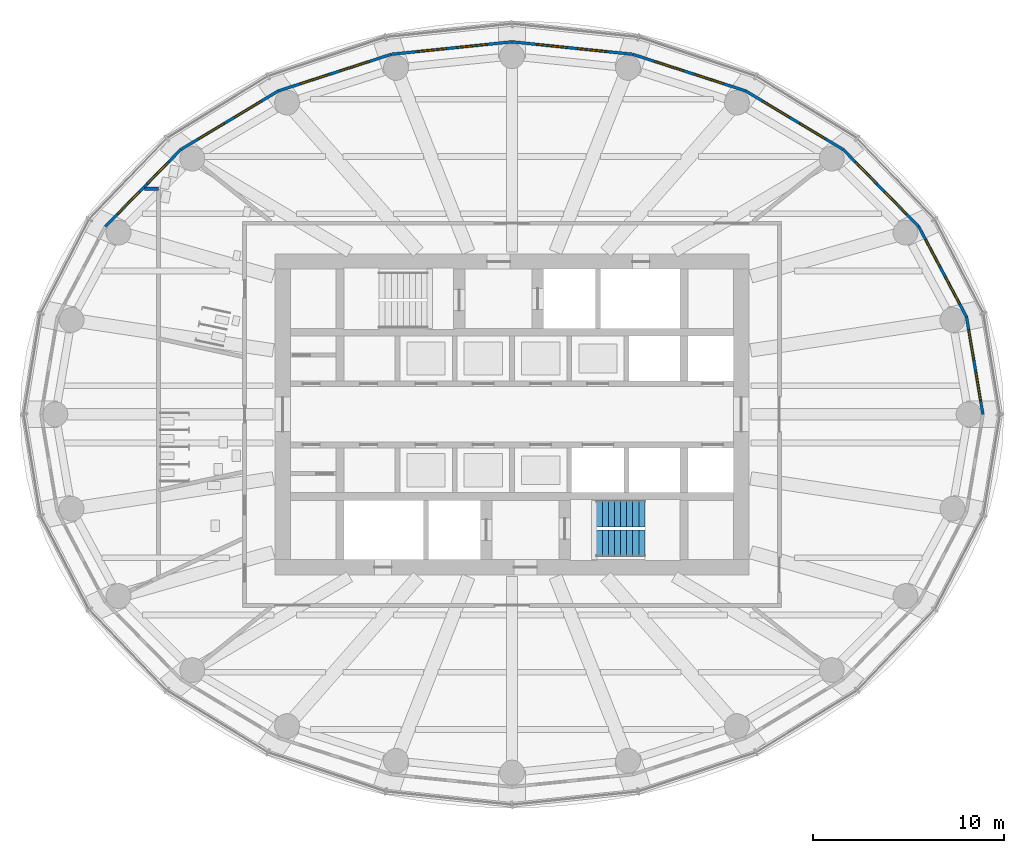
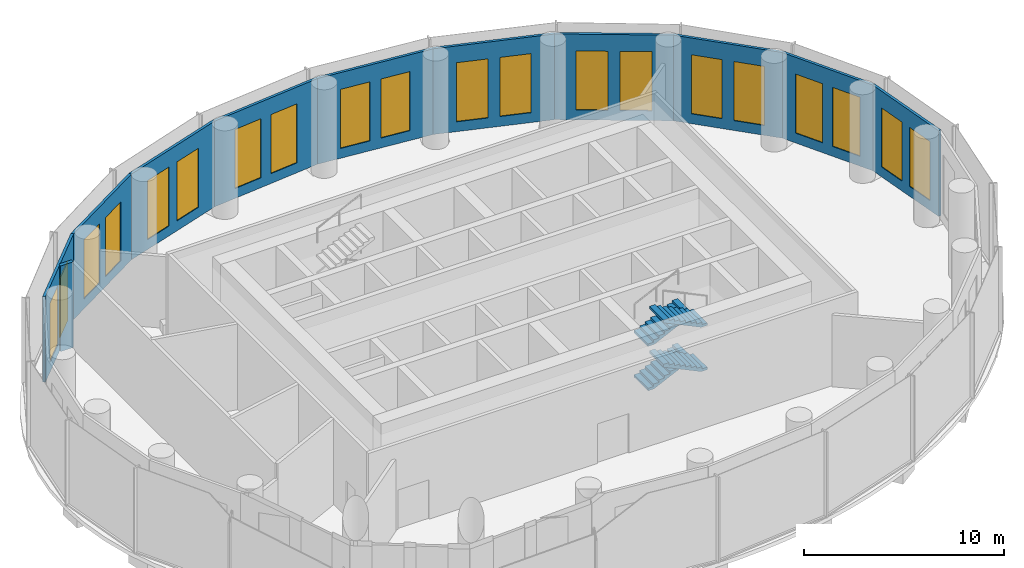
# One storey, part 8 of 13: 20 windows, 11 walls, 4 stair flights, 20 openings, 1 element without a shape of its own.
"""IFC4 building model written with IfcOpenShell, lengths in metres."""

import ifcopenshell
import ifcopenshell.guid

model = None  # the IFC model being written
_history = None  # IfcOwnerHistory: only IFC2X3 demands one
_inside = {}  # id of a spatial element -> (the spatial element, [elements in it])
_under = {}  # id of a project, library or spatial element -> (it, [spatial elements below it])
_declared = {}  # id of a project -> (the project, [libraries it declares])
_typed = {}  # id of a type object -> (the type object, [elements of that type])
_made_of = {}  # id of a material, layer set ... -> (it, [elements and type objects made of it])


def new_model(schema):
    """Start an empty IFC model of exactly this schema.

    Asked for "IFC4X3", IfcOpenShell would pick the latest addendum, in which some entities
    have other attributes; the version numbers below select the first issue.
    IFC2X3 requires an IfcOwnerHistory on every rooted entity: one is made here for all.
    """
    global model, _history
    if schema == "IFC4X3":
        model = ifcopenshell.file(schema_version=(4, 3, 0, 0))
    else:
        model = ifcopenshell.file(schema=schema)
    _inside.clear()
    _under.clear()
    _declared.clear()
    _typed.clear()
    _made_of.clear()
    _history = None
    if model.schema == "IFC2X3":
        org = make("IfcOrganization", Name="unknown")
        user = make(
            "IfcPersonAndOrganization",
            ThePerson=make("IfcPerson", FamilyName="unknown"),
            TheOrganization=org,
        )
        app = make(
            "IfcApplication",
            ApplicationDeveloper=org,
            Version="unknown",
            ApplicationFullName="unknown",
            ApplicationIdentifier="unknown",
        )
        _history = make(
            "IfcOwnerHistory",
            OwningUser=user,
            OwningApplication=app,
            ChangeAction="ADDED",
            CreationDate=0,
        )
    return model


def make(cls, **values):
    """One entity of the class cls with the attributes given. An attribute that is None is left unset."""
    return model.create_entity(
        cls, **{name: value for name, value in values.items() if value is not None}
    )


def rooted(cls, **values):
    """An entity with a GlobalId (a new one), such as an element, a storey or a relation."""
    return make(cls, GlobalId=ifcopenshell.guid.new(), OwnerHistory=_history, **values)


def si_unit(unit_type, name, prefix=None):
    """IfcSIUnit, for example si_unit("LENGTHUNIT", "METRE", prefix="MILLI")."""
    return make("IfcSIUnit", UnitType=unit_type, Prefix=prefix, Name=name)


def assignment(units):
    """IfcUnitAssignment: the units of a project."""
    return None if units is None else make("IfcUnitAssignment", Units=units)


def point(xyz):
    """IfcCartesianPoint."""
    return None if xyz is None else make("IfcCartesianPoint", Coordinates=xyz)


def direction(xyz):
    """IfcDirection."""
    return None if xyz is None else make("IfcDirection", DirectionRatios=xyz)


def frame(location, z_axis=None, x_axis=None):
    """IfcAxis2Placement3D, a coordinate frame: its origin and axes. An axis left out is left unset."""
    return make(
        "IfcAxis2Placement3D",
        Location=point(location),
        Axis=direction(z_axis),
        RefDirection=direction(x_axis),
    )


def frame_2d(location, x_axis=None):
    """IfcAxis2Placement2D, a coordinate frame in the plane: its origin and x axis."""
    return make(
        "IfcAxis2Placement2D", Location=point(location), RefDirection=direction(x_axis)
    )


def origin():
    """The frame at (0, 0, 0) with its axes left unset."""
    return frame((0.0, 0.0, 0.0))


def place(relative_to, where):
    """IfcLocalPlacement: puts the frame where relative to a parent placement (None: the world)."""
    return make(
        "IfcLocalPlacement", PlacementRelTo=relative_to, RelativePlacement=where
    )


def context(
    kind, dimensions, precision=None, world=None, true_north=None, identifier=None
):
    """IfcGeometricRepresentationContext, for example the 3D "Model" context."""
    return make(
        "IfcGeometricRepresentationContext",
        ContextIdentifier=identifier,
        ContextType=kind,
        CoordinateSpaceDimension=dimensions,
        Precision=precision,
        WorldCoordinateSystem=world,
        TrueNorth=true_north,
    )


def subcontext(parent, identifier, kind, view, scale=None):
    """IfcGeometricRepresentationSubContext, for example "Body" below "Model"."""
    return make(
        "IfcGeometricRepresentationSubContext",
        ContextIdentifier=identifier,
        ContextType=kind,
        ParentContext=parent,
        TargetScale=scale,
        TargetView=view,
    )


def project(units=None, contexts=None):
    """IfcProject with its units and contexts."""
    return rooted(
        "IfcProject",
        Name="project",
        RepresentationContexts=contexts,
        UnitsInContext=assignment(units),
    )


def spatial(cls, under=None, at=None, **own):
    """A site, building, storey or space (cls), placed at a placement, below another one or the project."""
    s = rooted(cls, ObjectPlacement=at, **own)
    if under is not None:
        _under.setdefault(under.id(), (under, []))[1].append(s)
    return s


def polyline(points):
    """IfcPolyline through the points."""
    return make("IfcPolyline", Points=[point(p) for p in points])


def profile(cls, at=None, kind="AREA", **sizes):
    """A parametric profile (cls). Its sizes go by their IFC names, for example OverallWidth=200.0."""
    return make(cls, ProfileType=kind, Position=at, **sizes)


def rectangle(**sizes):
    """IfcRectangleProfileDef."""
    return profile("IfcRectangleProfileDef", **sizes)


def outline(outer, holes=None, kind="AREA"):
    """IfcArbitraryClosedProfileDef: a profile drawn as a closed curve; with holes, ...WithVoids."""
    if holes is None:
        return make("IfcArbitraryClosedProfileDef", ProfileType=kind, OuterCurve=outer)
    return make(
        "IfcArbitraryProfileDefWithVoids",
        ProfileType=kind,
        OuterCurve=outer,
        InnerCurves=holes,
    )


def extrude(swept, where, along, depth):
    """IfcExtrudedAreaSolid: the profile swept, set in the frame where, extruded along a direction by depth."""
    return make(
        "IfcExtrudedAreaSolid",
        SweptArea=swept,
        Position=where,
        ExtrudedDirection=direction(along),
        Depth=depth,
    )


def shape(context_of_items, identifier, shape_type, items):
    """IfcShapeRepresentation: the items that make up one representation, for example the "Body"."""
    return make(
        "IfcShapeRepresentation",
        ContextOfItems=context_of_items,
        RepresentationIdentifier=identifier,
        RepresentationType=shape_type,
        Items=items,
    )


def material(Name=None, Category=None):
    """IfcMaterial."""
    return make("IfcMaterial", Name=Name, Category=Category)


def layer(
    of_material, thickness, ventilated=None, Name=None, Category=None, Priority=None
):
    """IfcMaterialLayer: one layer of a wall or slab, of a material (None: an air gap)."""
    return make(
        "IfcMaterialLayer",
        Material=of_material,
        LayerThickness=thickness,
        IsVentilated=ventilated,
        Name=Name,
        Category=Category,
        Priority=Priority,
    )


def layer_set(layers, Name=None):
    """IfcMaterialLayerSet."""
    return make("IfcMaterialLayerSet", MaterialLayers=layers, LayerSetName=Name)


def made_of(thing, what):
    """Note that an element or type object is made of a material, layer set ...; save() writes the relation."""
    if what is not None:
        _made_of.setdefault(what.id(), (what, []))[1].append(thing)
    return thing


def type_object(cls, material=None, **own):
    """A type object (cls), such as IfcWallType, which elements share."""
    return made_of(rooted(cls, **own), material)


def element(
    cls,
    number,
    at=None,
    inside=None,
    cuts=None,
    type_object=None,
    material=None,
    context=None,
    identifier="Body",
    shape_type=None,
    held_by="IfcProductDefinitionShape",
    body=None,
    shapes=None,
    **own,
):
    """One element of the class cls, such as IfcWall. Its Tag is "e" and its number.

    at: its placement. inside: the storey or other place that contains it. cuts: it is an
    opening in that element (IfcRelVoidsElement). A single representation is given by context,
    identifier, shape_type and body (its items); several are given by shapes. held_by: the class
    of the entity that holds the representations. save() writes the other relations.
    """
    e = rooted(cls, Tag="e%d" % number, ObjectPlacement=at, **own)
    if body is not None:
        shapes = [shape(context, identifier, shape_type, body)]
    if shapes is not None:
        e.Representation = make(held_by, Representations=shapes)
    if inside is not None:
        _inside.setdefault(inside.id(), (inside, []))[1].append(e)
    if cuts is not None:
        rooted(
            "IfcRelVoidsElement", RelatingBuildingElement=cuts, RelatedOpeningElement=e
        )
    if type_object is not None:
        _typed.setdefault(type_object.id(), (type_object, []))[1].append(e)
    return made_of(e, material)


def fill(opening, filler):
    """IfcRelFillsElement: the door or window that sits in an opening."""
    return rooted(
        "IfcRelFillsElement",
        RelatingOpeningElement=opening,
        RelatedBuildingElement=filler,
    )


def aggregate(whole, parts):
    """IfcRelAggregates: a whole, such as a stair, and the parts it consists of."""
    return rooted("IfcRelAggregates", RelatingObject=whole, RelatedObjects=parts)


def save(model, path):
    """Write the relations noted so far, then the file.

    IfcRelAggregates (storeys below a building ...), IfcRelContainedInSpatialStructure (elements
    in a storey), IfcRelDefinesByType, IfcRelAssociatesMaterial and IfcRelDeclares: one each for
    every whole, place, type object, material and project.
    """
    for whole, parts in _under.values():
        aggregate(whole, parts)
    for where, things in _inside.values():
        rooted(
            "IfcRelContainedInSpatialStructure",
            RelatedElements=things,
            RelatingStructure=where,
        )
    for kind, things in _typed.values():
        rooted("IfcRelDefinesByType", RelatedObjects=things, RelatingType=kind)
    for what, things in _made_of.values():
        rooted("IfcRelAssociatesMaterial", RelatedObjects=things, RelatingMaterial=what)
    for by, libraries in _declared.values():
        rooted("IfcRelDeclares", RelatingContext=by, RelatedDefinitions=libraries)
    model.write(path)


model = new_model("IFC4")

# Units and contexts
model_context = context("Model", 3, precision=1e-05, world=origin(), true_north=direction((0.0, 1.0)))
body_context = subcontext(model_context, "Body", "Model", "MODEL_VIEW")
ifc_project = project(units=[si_unit("LENGTHUNIT", "METRE"), si_unit("AREAUNIT", "SQUARE_METRE"), si_unit("VOLUMEUNIT", "CUBIC_METRE"), si_unit("PLANEANGLEUNIT", "RADIAN"), si_unit("MASSUNIT", "GRAM", prefix="KILO")], contexts=[model_context])

# Site, building, storey
site_placement = place(None, origin())
site = spatial("IfcSite", under=ifc_project, at=site_placement, CompositionType="ELEMENT")
building_placement = place(site_placement, origin())
building = spatial("IfcBuilding", under=site, at=building_placement, Name="Hankou Lantern Tower", CompositionType="ELEMENT")
storey_placement = place(building_placement, frame((0.0, 0.0, 100.199951171875)))
storey = spatial("IfcBuildingStorey", under=building, at=storey_placement, Name="L25", CompositionType="ELEMENT", Elevation=100.199951171875)

# Wall, openings, windows
ifc_material_1 = material(Name="Aluminium spandrel panel on steel studs", Category="steel")
ifc_layer_1 = layer(ifc_material_1, 0.14990234375)
ifc_layer_set_1 = layer_set([ifc_layer_1], Name="Aluminium spandrel panel on steel studs")
wall_type_1 = type_object("IfcWallType", Name="EW1 INNER SKIN WALL 150", PredefinedType="ELEMENTEDWALL", material=ifc_layer_set_1)
wall_1_placement = place(storey_placement, frame((24.64990234375, 0.0, 0.0), z_axis=(0.0, 0.0, 1.0), x_axis=(-0.165883894218, 0.986145290329, 0.0)))
wall_1 = element("IfcWall", 1, at=wall_1_placement, inside=storey, type_object=wall_type_1, Name="Inner skin R01-R02 L25", PredefinedType="ELEMENTEDWALL", context=body_context, shape_type="SweptSolid", body=[
    extrude(rectangle(XDim=5.171630859375, YDim=0.14990234375, at=frame_2d((2.5859375, 0.0))), origin(), (0.0, 0.0, 1.0), 5.219970703125),
])
opening_1_placement = place(wall_1_placement, frame((0.685791015625, 0.0, 0.60009765625)))
opening_1 = element("IfcOpeningElement", 2, at=opening_1_placement, cuts=wall_1, Name="Opening W6", PredefinedType="OPENING", context=body_context, shape_type="SweptSolid", body=[
    extrude(rectangle(XDim=1.60009765625, YDim=3.60009765625, at=frame_2d((0.800048828125, 1.800048828125))), frame((0.0, 0.0849609375, 0.0), z_axis=(0.0, -1.0, 0.0), x_axis=(1.0, 0.0, 0.0)), (0.0, 0.0, 1.0), 0.169921875),
])
opening_2_placement = place(wall_1_placement, frame((2.8857421875, 0.0, 0.60009765625)))
opening_2 = element("IfcOpeningElement", 3, at=opening_2_placement, cuts=wall_1, Name="Opening W6", PredefinedType="OPENING", context=body_context, shape_type="SweptSolid", body=[
    extrude(rectangle(XDim=1.60009765625, YDim=3.60009765625, at=frame_2d((0.800048828125, 1.800048828125))), frame((0.0, 0.0849609375, 0.0), z_axis=(0.0, -1.0, 0.0), x_axis=(1.0, 0.0, 0.0)), (0.0, 0.0, 1.0), 0.169921875),
])
ifc_material_2 = material(Name="Aluminium framed double glazed window", Category="aluminium")
window_type = type_object("IfcWindowType", Name="W6 SKY LOBBY WINDOW 1600X3600", PartitioningType="DOUBLE_PANEL_VERTICAL", PredefinedType="WINDOW", material=ifc_material_2)
window_1_placement = place(opening_1_placement, origin())
window_1 = element("IfcWindow", 4, at=window_1_placement, inside=storey, type_object=window_type, Name="Window R01.1 L25", OverallHeight=3.60009765625, OverallWidth=1.60009765625, PartitioningType="SINGLE_PANEL", PredefinedType="WINDOW", context=body_context, shape_type="SweptSolid", body=[
    extrude(rectangle(XDim=1.60009765625, YDim=3.60009765625, at=frame_2d((0.800048828125, 1.800048828125))), frame((0.0, 0.030029296875, 0.0), z_axis=(0.0, -1.0, 0.0), x_axis=(1.0, 0.0, 0.0)), (0.0, 0.0, 1.0), 0.06005859375),
])
fill(opening_1, window_1)
window_2_placement = place(opening_2_placement, origin())
window_2 = element("IfcWindow", 5, at=window_2_placement, inside=storey, type_object=window_type, Name="Window R01.2 L25", OverallHeight=3.60009765625, OverallWidth=1.60009765625, PartitioningType="SINGLE_PANEL", PredefinedType="WINDOW", context=body_context, shape_type="SweptSolid", body=[
    extrude(rectangle(XDim=1.60009765625, YDim=3.60009765625, at=frame_2d((0.800048828125, 1.800048828125))), frame((0.0, 0.030029296875, 0.0), z_axis=(0.0, -1.0, 0.0), x_axis=(1.0, 0.0, 0.0)), (0.0, 0.0, 1.0), 0.06005859375),
])
fill(opening_2, window_2)

wall_2_placement = place(storey_placement, frame((23.7919921875, 5.10009765625, 0.0), z_axis=(0.0, 0.0, 1.0), x_axis=(-0.467814388454, 0.883826735257, 0.0)))
wall_2 = element("IfcWall", 6, at=wall_2_placement, inside=storey, type_object=wall_type_1, Name="Inner skin R02-R03 L25", PredefinedType="ELEMENTEDWALL", context=body_context, shape_type="SweptSolid", body=[
    extrude(rectangle(XDim=5.35400390625, YDim=0.14990234375, at=frame_2d((2.677001953125, 0.0))), origin(), (0.0, 0.0, 1.0), 5.219970703125),
])
opening_3_placement = place(wall_2_placement, frame((0.777099609375, 0.0, 0.60009765625)))
opening_3 = element("IfcOpeningElement", 7, at=opening_3_placement, cuts=wall_2, Name="Opening W6", PredefinedType="OPENING", context=body_context, shape_type="SweptSolid", body=[
    extrude(rectangle(XDim=1.60009765625, YDim=3.60009765625, at=frame_2d((0.800048828125, 1.800048828125))), frame((0.0, 0.0849609375, 0.0), z_axis=(0.0, -1.0, 0.0), x_axis=(1.0, 0.0, 0.0)), (0.0, 0.0, 1.0), 0.169921875),
])
opening_4_placement = place(wall_2_placement, frame((2.97705078125, 0.0, 0.60009765625)))
opening_4 = element("IfcOpeningElement", 8, at=opening_4_placement, cuts=wall_2, Name="Opening W6", PredefinedType="OPENING", context=body_context, shape_type="SweptSolid", body=[
    extrude(rectangle(XDim=1.60009765625, YDim=3.60009765625, at=frame_2d((0.800048828125, 1.800048828125))), frame((0.0, 0.0849609375, 0.0), z_axis=(0.0, -1.0, 0.0), x_axis=(1.0, 0.0, 0.0)), (0.0, 0.0, 1.0), 0.169921875),
])
window_3_placement = place(opening_3_placement, origin())
window_3 = element("IfcWindow", 9, at=window_3_placement, inside=storey, type_object=window_type, Name="Window R02.1 L25", OverallHeight=3.60009765625, OverallWidth=1.60009765625, PartitioningType="SINGLE_PANEL", PredefinedType="WINDOW", context=body_context, shape_type="SweptSolid", body=[
    extrude(rectangle(XDim=1.60009765625, YDim=3.60009765625, at=frame_2d((0.800048828125, 1.800048828125))), frame((0.0, 0.030029296875, 0.0), z_axis=(0.0, -1.0, 0.0), x_axis=(1.0, 0.0, 0.0)), (0.0, 0.0, 1.0), 0.06005859375),
])
fill(opening_3, window_3)
window_4_placement = place(opening_4_placement, origin())
window_4 = element("IfcWindow", 10, at=window_4_placement, inside=storey, type_object=window_type, Name="Window R02.2 L25", OverallHeight=3.60009765625, OverallWidth=1.60009765625, PartitioningType="SINGLE_PANEL", PredefinedType="WINDOW", context=body_context, shape_type="SweptSolid", body=[
    extrude(rectangle(XDim=1.60009765625, YDim=3.60009765625, at=frame_2d((0.800048828125, 1.800048828125))), frame((0.0, 0.030029296875, 0.0), z_axis=(0.0, -1.0, 0.0), x_axis=(1.0, 0.0, 0.0)), (0.0, 0.0, 1.0), 0.06005859375),
])
fill(opening_4, window_4)

wall_3_placement = place(storey_placement, frame((21.287353515625, 9.83203125, 0.0), z_axis=(0.0, 0.0, 1.0), x_axis=(-0.700136650834, 0.714008872605, 0.0)))
wall_3 = element("IfcWall", 11, at=wall_3_placement, inside=storey, type_object=wall_type_1, Name="Inner skin R03-R04 L25", PredefinedType="ELEMENTEDWALL", context=body_context, shape_type="SweptSolid", body=[
    extrude(rectangle(XDim=5.6494140625, YDim=0.14990234375, at=frame_2d((2.82470703125, 0.0))), origin(), (0.0, 0.0, 1.0), 5.219970703125),
])
opening_5_placement = place(wall_3_placement, frame((0.924560546875, 0.0, 0.60009765625)))
opening_5 = element("IfcOpeningElement", 12, at=opening_5_placement, cuts=wall_3, Name="Opening W6", PredefinedType="OPENING", context=body_context, shape_type="SweptSolid", body=[
    extrude(rectangle(XDim=1.60009765625, YDim=3.60009765625, at=frame_2d((0.800048828125, 1.800048828125))), frame((0.0, 0.0849609375, 0.0), z_axis=(0.0, -1.0, 0.0), x_axis=(1.0, 0.0, 0.0)), (0.0, 0.0, 1.0), 0.169921875),
])
opening_6_placement = place(wall_3_placement, frame((3.12451171875, 0.0, 0.60009765625)))
opening_6 = element("IfcOpeningElement", 13, at=opening_6_placement, cuts=wall_3, Name="Opening W6", PredefinedType="OPENING", context=body_context, shape_type="SweptSolid", body=[
    extrude(rectangle(XDim=1.60009765625, YDim=3.60009765625, at=frame_2d((0.800048828125, 1.800048828125))), frame((0.0, 0.0849609375, 0.0), z_axis=(0.0, -1.0, 0.0), x_axis=(1.0, 0.0, 0.0)), (0.0, 0.0, 1.0), 0.169921875),
])
window_5_placement = place(opening_5_placement, origin())
window_5 = element("IfcWindow", 14, at=window_5_placement, inside=storey, type_object=window_type, Name="Window R03.1 L25", OverallHeight=3.60009765625, OverallWidth=1.60009765625, PartitioningType="SINGLE_PANEL", PredefinedType="WINDOW", context=body_context, shape_type="SweptSolid", body=[
    extrude(rectangle(XDim=1.60009765625, YDim=3.60009765625, at=frame_2d((0.800048828125, 1.800048828125))), frame((0.0, 0.030029296875, 0.0), z_axis=(0.0, -1.0, 0.0), x_axis=(1.0, 0.0, 0.0)), (0.0, 0.0, 1.0), 0.06005859375),
])
fill(opening_5, window_5)
window_6_placement = place(opening_6_placement, origin())
window_6 = element("IfcWindow", 15, at=window_6_placement, inside=storey, type_object=window_type, Name="Window R03.2 L25", OverallHeight=3.60009765625, OverallWidth=1.60009765625, PartitioningType="SINGLE_PANEL", PredefinedType="WINDOW", context=body_context, shape_type="SweptSolid", body=[
    extrude(rectangle(XDim=1.60009765625, YDim=3.60009765625, at=frame_2d((0.800048828125, 1.800048828125))), frame((0.0, 0.030029296875, 0.0), z_axis=(0.0, -1.0, 0.0), x_axis=(1.0, 0.0, 0.0)), (0.0, 0.0, 1.0), 0.06005859375),
])
fill(opening_6, window_6)

wall_4_placement = place(storey_placement, frame((17.33203125, 13.86572265625, 0.0), z_axis=(0.0, 0.0, 1.0), x_axis=(-0.857308573723, 0.514802884044, 0.0)))
wall_4 = element("IfcWall", 16, at=wall_4_placement, inside=storey, type_object=wall_type_1, Name="Inner skin R04-R05 L25", PredefinedType="ELEMENTEDWALL", context=body_context, shape_type="SweptSolid", body=[
    extrude(rectangle(XDim=5.961181640625, YDim=0.14990234375, at=frame_2d((2.98046875, 0.0))), origin(), (0.0, 0.0, 1.0), 5.219970703125),
])
opening_7_placement = place(wall_4_placement, frame((1.08056640625, 0.0, 0.60009765625)))
opening_7 = element("IfcOpeningElement", 17, at=opening_7_placement, cuts=wall_4, Name="Opening W6", PredefinedType="OPENING", context=body_context, shape_type="SweptSolid", body=[
    extrude(rectangle(XDim=1.60009765625, YDim=3.60009765625, at=frame_2d((0.800048828125, 1.800048828125))), frame((0.0, 0.0849609375, 0.0), z_axis=(0.0, -1.0, 0.0), x_axis=(1.0, 0.0, 0.0)), (0.0, 0.0, 1.0), 0.169921875),
])
opening_8_placement = place(wall_4_placement, frame((3.280517578125, 0.0, 0.60009765625)))
opening_8 = element("IfcOpeningElement", 18, at=opening_8_placement, cuts=wall_4, Name="Opening W6", PredefinedType="OPENING", context=body_context, shape_type="SweptSolid", body=[
    extrude(rectangle(XDim=1.60009765625, YDim=3.60009765625, at=frame_2d((0.800048828125, 1.800048828125))), frame((0.0, 0.0849609375, 0.0), z_axis=(0.0, -1.0, 0.0), x_axis=(1.0, 0.0, 0.0)), (0.0, 0.0, 1.0), 0.169921875),
])
window_7_placement = place(opening_7_placement, origin())
window_7 = element("IfcWindow", 19, at=window_7_placement, inside=storey, type_object=window_type, Name="Window R04.1 L25", OverallHeight=3.60009765625, OverallWidth=1.60009765625, PartitioningType="SINGLE_PANEL", PredefinedType="WINDOW", context=body_context, shape_type="SweptSolid", body=[
    extrude(rectangle(XDim=1.60009765625, YDim=3.60009765625, at=frame_2d((0.800048828125, 1.800048828125))), frame((0.0, 0.030029296875, 0.0), z_axis=(0.0, -1.0, 0.0), x_axis=(1.0, 0.0, 0.0)), (0.0, 0.0, 1.0), 0.06005859375),
])
fill(opening_7, window_7)
window_8_placement = place(opening_8_placement, origin())
window_8 = element("IfcWindow", 20, at=window_8_placement, inside=storey, type_object=window_type, Name="Window R04.2 L25", OverallHeight=3.60009765625, OverallWidth=1.60009765625, PartitioningType="SINGLE_PANEL", PredefinedType="WINDOW", context=body_context, shape_type="SweptSolid", body=[
    extrude(rectangle(XDim=1.60009765625, YDim=3.60009765625, at=frame_2d((0.800048828125, 1.800048828125))), frame((0.0, 0.030029296875, 0.0), z_axis=(0.0, -1.0, 0.0), x_axis=(1.0, 0.0, 0.0)), (0.0, 0.0, 1.0), 0.06005859375),
])
fill(opening_8, window_8)

wall_5_placement = place(storey_placement, frame((12.221435546875, 16.9345703125, 0.0), z_axis=(0.0, 0.0, 1.0), x_axis=(-0.951272691506, 0.308350881944, 0.0)))
wall_5 = element("IfcWall", 21, at=wall_5_placement, inside=storey, type_object=wall_type_1, Name="Inner skin R05-R06 L25", PredefinedType="ELEMENTEDWALL", context=body_context, shape_type="SweptSolid", body=[
    extrude(rectangle(XDim=6.210693359375, YDim=0.14990234375, at=frame_2d((3.10546875, 0.0))), origin(), (0.0, 0.0, 1.0), 5.219970703125),
])
opening_9_placement = place(wall_5_placement, frame((1.205322265625, 0.0, 0.60009765625)))
opening_9 = element("IfcOpeningElement", 22, at=opening_9_placement, cuts=wall_5, Name="Opening W6", PredefinedType="OPENING", context=body_context, shape_type="SweptSolid", body=[
    extrude(rectangle(XDim=1.60009765625, YDim=3.60009765625, at=frame_2d((0.800048828125, 1.800048828125))), frame((0.0, 0.0849609375, 0.0), z_axis=(0.0, -1.0, 0.0), x_axis=(1.0, 0.0, 0.0)), (0.0, 0.0, 1.0), 0.169921875),
])
opening_10_placement = place(wall_5_placement, frame((3.4052734375, 0.0, 0.60009765625)))
opening_10 = element("IfcOpeningElement", 23, at=opening_10_placement, cuts=wall_5, Name="Opening W6", PredefinedType="OPENING", context=body_context, shape_type="SweptSolid", body=[
    extrude(rectangle(XDim=1.60009765625, YDim=3.60009765625, at=frame_2d((0.800048828125, 1.800048828125))), frame((0.0, 0.0849609375, 0.0), z_axis=(0.0, -1.0, 0.0), x_axis=(1.0, 0.0, 0.0)), (0.0, 0.0, 1.0), 0.169921875),
])
window_9_placement = place(opening_9_placement, origin())
window_9 = element("IfcWindow", 24, at=window_9_placement, inside=storey, type_object=window_type, Name="Window R05.1 L25", OverallHeight=3.60009765625, OverallWidth=1.60009765625, PartitioningType="SINGLE_PANEL", PredefinedType="WINDOW", context=body_context, shape_type="SweptSolid", body=[
    extrude(rectangle(XDim=1.60009765625, YDim=3.60009765625, at=frame_2d((0.800048828125, 1.800048828125))), frame((0.0, 0.030029296875, 0.0), z_axis=(0.0, -1.0, 0.0), x_axis=(1.0, 0.0, 0.0)), (0.0, 0.0, 1.0), 0.06005859375),
])
fill(opening_9, window_9)
window_10_placement = place(opening_10_placement, origin())
window_10 = element("IfcWindow", 25, at=window_10_placement, inside=storey, type_object=window_type, Name="Window R05.2 L25", OverallHeight=3.60009765625, OverallWidth=1.60009765625, PartitioningType="SINGLE_PANEL", PredefinedType="WINDOW", context=body_context, shape_type="SweptSolid", body=[
    extrude(rectangle(XDim=1.60009765625, YDim=3.60009765625, at=frame_2d((0.800048828125, 1.800048828125))), frame((0.0, 0.030029296875, 0.0), z_axis=(0.0, -1.0, 0.0), x_axis=(1.0, 0.0, 0.0)), (0.0, 0.0, 1.0), 0.06005859375),
])
fill(opening_10, window_10)

wall_6_placement = place(storey_placement, frame((6.3134765625, 18.849609375, 0.0), z_axis=(0.0, 0.0, 1.0), x_axis=(-0.994735690163, 0.102473931887, 0.0)))
wall_6 = element("IfcWall", 26, at=wall_6_placement, inside=storey, type_object=wall_type_1, Name="Inner skin R06-R07 L25", PredefinedType="ELEMENTEDWALL", context=body_context, shape_type="SweptSolid", body=[
    extrude(rectangle(XDim=6.346923828125, YDim=0.14990234375, at=frame_2d((3.17333984375, 0.0))), origin(), (0.0, 0.0, 1.0), 5.219970703125),
])
opening_11_placement = place(wall_6_placement, frame((1.2734375, 0.0, 0.60009765625)))
opening_11 = element("IfcOpeningElement", 27, at=opening_11_placement, cuts=wall_6, Name="Opening W6", PredefinedType="OPENING", context=body_context, shape_type="SweptSolid", body=[
    extrude(rectangle(XDim=1.60009765625, YDim=3.60009765625, at=frame_2d((0.800048828125, 1.800048828125))), frame((0.0, 0.0849609375, 0.0), z_axis=(0.0, -1.0, 0.0), x_axis=(1.0, 0.0, 0.0)), (0.0, 0.0, 1.0), 0.169921875),
])
opening_12_placement = place(wall_6_placement, frame((3.473388671875, 0.0, 0.60009765625)))
opening_12 = element("IfcOpeningElement", 28, at=opening_12_placement, cuts=wall_6, Name="Opening W6", PredefinedType="OPENING", context=body_context, shape_type="SweptSolid", body=[
    extrude(rectangle(XDim=1.60009765625, YDim=3.60009765625, at=frame_2d((0.800048828125, 1.800048828125))), frame((0.0, 0.0849609375, 0.0), z_axis=(0.0, -1.0, 0.0), x_axis=(1.0, 0.0, 0.0)), (0.0, 0.0, 1.0), 0.169921875),
])
window_11_placement = place(opening_11_placement, origin())
window_11 = element("IfcWindow", 29, at=window_11_placement, inside=storey, type_object=window_type, Name="Window R06.1 L25", OverallHeight=3.60009765625, OverallWidth=1.60009765625, PartitioningType="SINGLE_PANEL", PredefinedType="WINDOW", context=body_context, shape_type="SweptSolid", body=[
    extrude(rectangle(XDim=1.60009765625, YDim=3.60009765625, at=frame_2d((0.800048828125, 1.800048828125))), frame((0.0, 0.030029296875, 0.0), z_axis=(0.0, -1.0, 0.0), x_axis=(1.0, 0.0, 0.0)), (0.0, 0.0, 1.0), 0.06005859375),
])
fill(opening_11, window_11)
window_12_placement = place(opening_12_placement, origin())
window_12 = element("IfcWindow", 30, at=window_12_placement, inside=storey, type_object=window_type, Name="Window R06.2 L25", OverallHeight=3.60009765625, OverallWidth=1.60009765625, PartitioningType="SINGLE_PANEL", PredefinedType="WINDOW", context=body_context, shape_type="SweptSolid", body=[
    extrude(rectangle(XDim=1.60009765625, YDim=3.60009765625, at=frame_2d((0.800048828125, 1.800048828125))), frame((0.0, 0.030029296875, 0.0), z_axis=(0.0, -1.0, 0.0), x_axis=(1.0, 0.0, 0.0)), (0.0, 0.0, 1.0), 0.06005859375),
])
fill(opening_12, window_12)

wall_7_placement = place(storey_placement, frame((0.0, 19.5, 0.0), z_axis=(0.0, 0.0, 1.0), x_axis=(-0.994735690163, -0.102473931887, 0.0)))
wall_7 = element("IfcWall", 31, at=wall_7_placement, inside=storey, type_object=wall_type_1, Name="Inner skin R07-R08 L25", PredefinedType="ELEMENTEDWALL", context=body_context, shape_type="SweptSolid", body=[
    extrude(rectangle(XDim=6.346923828125, YDim=0.14990234375, at=frame_2d((3.17333984375, 0.0))), origin(), (0.0, 0.0, 1.0), 5.219970703125),
])
opening_13_placement = place(wall_7_placement, frame((1.2734375, 0.0, 0.60009765625)))
opening_13 = element("IfcOpeningElement", 32, at=opening_13_placement, cuts=wall_7, Name="Opening W6", PredefinedType="OPENING", context=body_context, shape_type="SweptSolid", body=[
    extrude(rectangle(XDim=1.60009765625, YDim=3.60009765625, at=frame_2d((0.800048828125, 1.800048828125))), frame((0.0, 0.0849609375, 0.0), z_axis=(0.0, -1.0, 0.0), x_axis=(1.0, 0.0, 0.0)), (0.0, 0.0, 1.0), 0.169921875),
])
opening_14_placement = place(wall_7_placement, frame((3.473388671875, 0.0, 0.60009765625)))
opening_14 = element("IfcOpeningElement", 33, at=opening_14_placement, cuts=wall_7, Name="Opening W6", PredefinedType="OPENING", context=body_context, shape_type="SweptSolid", body=[
    extrude(rectangle(XDim=1.60009765625, YDim=3.60009765625, at=frame_2d((0.800048828125, 1.800048828125))), frame((0.0, 0.0849609375, 0.0), z_axis=(0.0, -1.0, 0.0), x_axis=(1.0, 0.0, 0.0)), (0.0, 0.0, 1.0), 0.169921875),
])
window_13_placement = place(opening_13_placement, origin())
window_13 = element("IfcWindow", 34, at=window_13_placement, inside=storey, type_object=window_type, Name="Window R07.1 L25", OverallHeight=3.60009765625, OverallWidth=1.60009765625, PartitioningType="SINGLE_PANEL", PredefinedType="WINDOW", context=body_context, shape_type="SweptSolid", body=[
    extrude(rectangle(XDim=1.60009765625, YDim=3.60009765625, at=frame_2d((0.800048828125, 1.800048828125))), frame((0.0, 0.030029296875, 0.0), z_axis=(0.0, -1.0, 0.0), x_axis=(1.0, 0.0, 0.0)), (0.0, 0.0, 1.0), 0.06005859375),
])
fill(opening_13, window_13)
window_14_placement = place(opening_14_placement, origin())
window_14 = element("IfcWindow", 35, at=window_14_placement, inside=storey, type_object=window_type, Name="Window R07.2 L25", OverallHeight=3.60009765625, OverallWidth=1.60009765625, PartitioningType="SINGLE_PANEL", PredefinedType="WINDOW", context=body_context, shape_type="SweptSolid", body=[
    extrude(rectangle(XDim=1.60009765625, YDim=3.60009765625, at=frame_2d((0.800048828125, 1.800048828125))), frame((0.0, 0.030029296875, 0.0), z_axis=(0.0, -1.0, 0.0), x_axis=(1.0, 0.0, 0.0)), (0.0, 0.0, 1.0), 0.06005859375),
])
fill(opening_14, window_14)

wall_8_placement = place(storey_placement, frame((-6.3134765625, 18.849609375, 0.0), z_axis=(0.0, 0.0, 1.0), x_axis=(-0.951272691506, -0.308350881944, 0.0)))
wall_8 = element("IfcWall", 36, at=wall_8_placement, inside=storey, type_object=wall_type_1, Name="Inner skin R08-R09 L25", PredefinedType="ELEMENTEDWALL", context=body_context, shape_type="SweptSolid", body=[
    extrude(rectangle(XDim=6.210693359375, YDim=0.14990234375, at=frame_2d((3.10546875, 0.0))), origin(), (0.0, 0.0, 1.0), 5.219970703125),
])
opening_15_placement = place(wall_8_placement, frame((1.205322265625, 0.0, 0.60009765625)))
opening_15 = element("IfcOpeningElement", 37, at=opening_15_placement, cuts=wall_8, Name="Opening W6", PredefinedType="OPENING", context=body_context, shape_type="SweptSolid", body=[
    extrude(rectangle(XDim=1.60009765625, YDim=3.60009765625, at=frame_2d((0.800048828125, 1.800048828125))), frame((0.0, 0.0849609375, 0.0), z_axis=(0.0, -1.0, 0.0), x_axis=(1.0, 0.0, 0.0)), (0.0, 0.0, 1.0), 0.169921875),
])
opening_16_placement = place(wall_8_placement, frame((3.4052734375, 0.0, 0.60009765625)))
opening_16 = element("IfcOpeningElement", 38, at=opening_16_placement, cuts=wall_8, Name="Opening W6", PredefinedType="OPENING", context=body_context, shape_type="SweptSolid", body=[
    extrude(rectangle(XDim=1.60009765625, YDim=3.60009765625, at=frame_2d((0.800048828125, 1.800048828125))), frame((0.0, 0.0849609375, 0.0), z_axis=(0.0, -1.0, 0.0), x_axis=(1.0, 0.0, 0.0)), (0.0, 0.0, 1.0), 0.169921875),
])
window_15_placement = place(opening_15_placement, origin())
window_15 = element("IfcWindow", 39, at=window_15_placement, inside=storey, type_object=window_type, Name="Window R08.1 L25", OverallHeight=3.60009765625, OverallWidth=1.60009765625, PartitioningType="SINGLE_PANEL", PredefinedType="WINDOW", context=body_context, shape_type="SweptSolid", body=[
    extrude(rectangle(XDim=1.60009765625, YDim=3.60009765625, at=frame_2d((0.800048828125, 1.800048828125))), frame((0.0, 0.030029296875, 0.0), z_axis=(0.0, -1.0, 0.0), x_axis=(1.0, 0.0, 0.0)), (0.0, 0.0, 1.0), 0.06005859375),
])
fill(opening_15, window_15)
window_16_placement = place(opening_16_placement, origin())
window_16 = element("IfcWindow", 40, at=window_16_placement, inside=storey, type_object=window_type, Name="Window R08.2 L25", OverallHeight=3.60009765625, OverallWidth=1.60009765625, PartitioningType="SINGLE_PANEL", PredefinedType="WINDOW", context=body_context, shape_type="SweptSolid", body=[
    extrude(rectangle(XDim=1.60009765625, YDim=3.60009765625, at=frame_2d((0.800048828125, 1.800048828125))), frame((0.0, 0.030029296875, 0.0), z_axis=(0.0, -1.0, 0.0), x_axis=(1.0, 0.0, 0.0)), (0.0, 0.0, 1.0), 0.06005859375),
])
fill(opening_16, window_16)

wall_9_placement = place(storey_placement, frame((-12.221435546875, 16.9345703125, 0.0), z_axis=(0.0, 0.0, 1.0), x_axis=(-0.857308573723, -0.514802884044, 0.0)))
wall_9 = element("IfcWall", 41, at=wall_9_placement, inside=storey, type_object=wall_type_1, Name="Inner skin R09-R10 L25", PredefinedType="ELEMENTEDWALL", context=body_context, shape_type="SweptSolid", body=[
    extrude(rectangle(XDim=5.961181640625, YDim=0.14990234375, at=frame_2d((2.98046875, 0.0))), origin(), (0.0, 0.0, 1.0), 5.219970703125),
])
opening_17_placement = place(wall_9_placement, frame((1.08056640625, 0.0, 0.60009765625)))
opening_17 = element("IfcOpeningElement", 42, at=opening_17_placement, cuts=wall_9, Name="Opening W6", PredefinedType="OPENING", context=body_context, shape_type="SweptSolid", body=[
    extrude(rectangle(XDim=1.60009765625, YDim=3.60009765625, at=frame_2d((0.800048828125, 1.800048828125))), frame((0.0, 0.0849609375, 0.0), z_axis=(0.0, -1.0, 0.0), x_axis=(1.0, 0.0, 0.0)), (0.0, 0.0, 1.0), 0.169921875),
])
opening_18_placement = place(wall_9_placement, frame((3.280517578125, 0.0, 0.60009765625)))
opening_18 = element("IfcOpeningElement", 43, at=opening_18_placement, cuts=wall_9, Name="Opening W6", PredefinedType="OPENING", context=body_context, shape_type="SweptSolid", body=[
    extrude(rectangle(XDim=1.60009765625, YDim=3.60009765625, at=frame_2d((0.800048828125, 1.800048828125))), frame((0.0, 0.0849609375, 0.0), z_axis=(0.0, -1.0, 0.0), x_axis=(1.0, 0.0, 0.0)), (0.0, 0.0, 1.0), 0.169921875),
])
window_17_placement = place(opening_17_placement, origin())
window_17 = element("IfcWindow", 44, at=window_17_placement, inside=storey, type_object=window_type, Name="Window R09.1 L25", OverallHeight=3.60009765625, OverallWidth=1.60009765625, PartitioningType="SINGLE_PANEL", PredefinedType="WINDOW", context=body_context, shape_type="SweptSolid", body=[
    extrude(rectangle(XDim=1.60009765625, YDim=3.60009765625, at=frame_2d((0.800048828125, 1.800048828125))), frame((0.0, 0.030029296875, 0.0), z_axis=(0.0, -1.0, 0.0), x_axis=(1.0, 0.0, 0.0)), (0.0, 0.0, 1.0), 0.06005859375),
])
fill(opening_17, window_17)
window_18_placement = place(opening_18_placement, origin())
window_18 = element("IfcWindow", 45, at=window_18_placement, inside=storey, type_object=window_type, Name="Window R09.2 L25", OverallHeight=3.60009765625, OverallWidth=1.60009765625, PartitioningType="SINGLE_PANEL", PredefinedType="WINDOW", context=body_context, shape_type="SweptSolid", body=[
    extrude(rectangle(XDim=1.60009765625, YDim=3.60009765625, at=frame_2d((0.800048828125, 1.800048828125))), frame((0.0, 0.030029296875, 0.0), z_axis=(0.0, -1.0, 0.0), x_axis=(1.0, 0.0, 0.0)), (0.0, 0.0, 1.0), 0.06005859375),
])
fill(opening_18, window_18)

wall_10_placement = place(storey_placement, frame((-17.33203125, 13.86572265625, 0.0), z_axis=(0.0, 0.0, 1.0), x_axis=(-0.700136650834, -0.714008872605, 0.0)))
wall_10 = element("IfcWall", 46, at=wall_10_placement, inside=storey, type_object=wall_type_1, Name="Inner skin R10-R11 L25", PredefinedType="ELEMENTEDWALL", context=body_context, shape_type="SweptSolid", body=[
    extrude(rectangle(XDim=5.6494140625, YDim=0.14990234375, at=frame_2d((2.82470703125, 0.0))), origin(), (0.0, 0.0, 1.0), 5.219970703125),
])
opening_19_placement = place(wall_10_placement, frame((0.924560546875, 0.0, 0.60009765625)))
opening_19 = element("IfcOpeningElement", 47, at=opening_19_placement, cuts=wall_10, Name="Opening W6", PredefinedType="OPENING", context=body_context, shape_type="SweptSolid", body=[
    extrude(rectangle(XDim=1.60009765625, YDim=3.60009765625, at=frame_2d((0.800048828125, 1.800048828125))), frame((0.0, 0.0849609375, 0.0), z_axis=(0.0, -1.0, 0.0), x_axis=(1.0, 0.0, 0.0)), (0.0, 0.0, 1.0), 0.169921875),
])
opening_20_placement = place(wall_10_placement, frame((3.12451171875, 0.0, 0.60009765625)))
opening_20 = element("IfcOpeningElement", 48, at=opening_20_placement, cuts=wall_10, Name="Opening W6", PredefinedType="OPENING", context=body_context, shape_type="SweptSolid", body=[
    extrude(rectangle(XDim=1.60009765625, YDim=3.60009765625, at=frame_2d((0.800048828125, 1.800048828125))), frame((0.0, 0.0849609375, 0.0), z_axis=(0.0, -1.0, 0.0), x_axis=(1.0, 0.0, 0.0)), (0.0, 0.0, 1.0), 0.169921875),
])
window_19_placement = place(opening_19_placement, origin())
window_19 = element("IfcWindow", 49, at=window_19_placement, inside=storey, type_object=window_type, Name="Window R10.1 L25", OverallHeight=3.60009765625, OverallWidth=1.60009765625, PartitioningType="SINGLE_PANEL", PredefinedType="WINDOW", context=body_context, shape_type="SweptSolid", body=[
    extrude(rectangle(XDim=1.60009765625, YDim=3.60009765625, at=frame_2d((0.800048828125, 1.800048828125))), frame((0.0, 0.030029296875, 0.0), z_axis=(0.0, -1.0, 0.0), x_axis=(1.0, 0.0, 0.0)), (0.0, 0.0, 1.0), 0.06005859375),
])
fill(opening_19, window_19)
window_20_placement = place(opening_20_placement, origin())
window_20 = element("IfcWindow", 50, at=window_20_placement, inside=storey, type_object=window_type, Name="Window R10.2 L25", OverallHeight=3.60009765625, OverallWidth=1.60009765625, PartitioningType="SINGLE_PANEL", PredefinedType="WINDOW", context=body_context, shape_type="SweptSolid", body=[
    extrude(rectangle(XDim=1.60009765625, YDim=3.60009765625, at=frame_2d((0.800048828125, 1.800048828125))), frame((0.0, 0.030029296875, 0.0), z_axis=(0.0, -1.0, 0.0), x_axis=(1.0, 0.0, 0.0)), (0.0, 0.0, 1.0), 0.06005859375),
])
fill(opening_20, window_20)

# Wall
ifc_material_3 = material(Name="Masonry lightweight concrete block", Category="masonry")
ifc_layer_2 = layer(ifc_material_3, 0.199951171875)
ifc_layer_set_2 = layer_set([ifc_layer_2], Name="Masonry lightweight concrete block")
wall_type_2 = type_object("IfcWallType", Name="IW8 PARTITION 200", PredefinedType="PARTITIONING", material=ifc_layer_set_2)
wall_11_placement = place(storey_placement, frame((-19.2451171875, 11.80908203125, 0.0), z_axis=(0.0, 0.0, 1.0), x_axis=(1.0, 0.0, 0.0)))
element("IfcWall", 51, at=wall_11_placement, inside=storey, type_object=wall_type_2, Name="Partition behind the WCs", PredefinedType="PARTITIONING", context=body_context, shape_type="SweptSolid", body=[
    extrude(rectangle(XDim=0.7451171875, YDim=0.199951171875, at=frame_2d((0.37255859375, 0.0))), origin(), (0.0, 0.0, 1.0), 5.219970703125),
])

# Stair, stair flights
ifc_material_4 = material(Name="Concrete C40", Category="concrete")
stair_type = type_object("IfcStairType", Name="ST54 CORE STAIR 5400 RISE", PredefinedType="HALF_TURN_STAIR", material=ifc_material_4)
stair_placement = place(storey_placement, origin())
stair = element("IfcStair", 52, at=stair_placement, inside=storey, type_object=stair_type, Name="Stair STB L25", PredefinedType="HALF_TURN_STAIR")
ifc_material_5 = material(Name="Concrete C40", Category="concrete")
stair_flight_type = type_object("IfcStairFlightType", Name="CF9 CORE STAIR FLIGHT 1400 X 9 RISERS", PredefinedType="STRAIGHT", material=ifc_material_5)
stair_flight_1_placement = place(storey_placement, frame((4.429931640625, -5.199951171875, 0.0), z_axis=(0.0, 0.0, 1.0), x_axis=(1.0, 0.0, 0.0)))
stair_flight_1 = element("IfcStairFlight", 53, at=stair_flight_1_placement, type_object=stair_flight_type, Name="STB flight 1", NumberOfRisers=9, NumberOfTreads=8, PredefinedType="STRAIGHT", RiserHeight=0.15, TreadLength=0.315, context=body_context, shape_type="SweptSolid", body=[
    extrude(outline(polyline([(0.0, 0.0), (0.0, 0.14990234375), (0.31494140625, 0.14990234375), (0.31494140625, 0.300048828125), (0.6298828125, 0.300048828125), (0.6298828125, 0.449951171875), (0.945068359375, 0.449951171875), (0.945068359375, 0.60009765625), (1.260009765625, 0.60009765625), (1.260009765625, 0.75), (1.574951171875, 0.75), (1.574951171875, 0.89990234375), (1.889892578125, 0.89990234375), (1.889892578125, 1.050048828125), (2.205078125, 1.050048828125), (2.205078125, 1.199951171875), (2.52001953125, 1.199951171875), (2.52001953125, 1.35009765625), (2.52001953125, 1.033935546875), (0.3486328125, 0.0), (0.0, 0.0)])), frame((0.0, 0.699951171875, 0.0), z_axis=(0.0, -1.0, 0.0), x_axis=(1.0, 0.0, 0.0)), (0.0, 0.0, 1.0), 1.39990234375),
])
stair_flight_2_placement = place(storey_placement, frame((6.949951171875, -6.75, 1.35009765625), z_axis=(0.0, 0.0, 1.0), x_axis=(-1.0, 0.0, 0.0)))
stair_flight_2 = element("IfcStairFlight", 54, at=stair_flight_2_placement, type_object=stair_flight_type, Name="STB flight 2", NumberOfRisers=9, NumberOfTreads=8, PredefinedType="STRAIGHT", RiserHeight=0.15, TreadLength=0.315, context=body_context, shape_type="SweptSolid", body=[
    extrude(outline(polyline([(0.0, 0.0), (0.0, 0.14990234375), (0.31494140625, 0.14990234375), (0.31494140625, 0.300048828125), (0.6298828125, 0.300048828125), (0.6298828125, 0.449951171875), (0.945068359375, 0.449951171875), (0.945068359375, 0.60009765625), (1.260009765625, 0.60009765625), (1.260009765625, 0.75), (1.574951171875, 0.75), (1.574951171875, 0.89990234375), (1.889892578125, 0.89990234375), (1.889892578125, 1.050048828125), (2.205078125, 1.050048828125), (2.205078125, 1.199951171875), (2.52001953125, 1.199951171875), (2.52001953125, 1.35009765625), (2.52001953125, 1.033935546875), (0.3486328125, 0.0), (0.0, 0.0)])), frame((0.0, 0.699951171875, 0.0), z_axis=(0.0, -1.0, 0.0), x_axis=(1.0, 0.0, 0.0)), (0.0, 0.0, 1.0), 1.39990234375),
])
stair_flight_3_placement = place(storey_placement, frame((4.429931640625, -5.199951171875, 2.699951171875), z_axis=(0.0, 0.0, 1.0), x_axis=(1.0, 0.0, 0.0)))
stair_flight_3 = element("IfcStairFlight", 55, at=stair_flight_3_placement, type_object=stair_flight_type, Name="STB flight 3", NumberOfRisers=9, NumberOfTreads=8, PredefinedType="STRAIGHT", RiserHeight=0.15, TreadLength=0.315, context=body_context, shape_type="SweptSolid", body=[
    extrude(outline(polyline([(0.0, 0.0), (0.0, 0.14990234375), (0.31494140625, 0.14990234375), (0.31494140625, 0.300048828125), (0.6298828125, 0.300048828125), (0.6298828125, 0.449951171875), (0.945068359375, 0.449951171875), (0.945068359375, 0.60009765625), (1.260009765625, 0.60009765625), (1.260009765625, 0.75), (1.574951171875, 0.75), (1.574951171875, 0.89990234375), (1.889892578125, 0.89990234375), (1.889892578125, 1.050048828125), (2.205078125, 1.050048828125), (2.205078125, 1.199951171875), (2.52001953125, 1.199951171875), (2.52001953125, 1.35009765625), (2.52001953125, 1.033935546875), (0.3486328125, 0.0), (0.0, 0.0)])), frame((0.0, 0.699951171875, 0.0), z_axis=(0.0, -1.0, 0.0), x_axis=(1.0, 0.0, 0.0)), (0.0, 0.0, 1.0), 1.39990234375),
])
stair_flight_4_placement = place(storey_placement, frame((6.949951171875, -6.75, 4.050048828125), z_axis=(0.0, 0.0, 1.0), x_axis=(-1.0, 0.0, 0.0)))
stair_flight_4 = element("IfcStairFlight", 56, at=stair_flight_4_placement, type_object=stair_flight_type, Name="STB flight 4", NumberOfRisers=9, NumberOfTreads=8, PredefinedType="STRAIGHT", RiserHeight=0.15, TreadLength=0.315, context=body_context, shape_type="SweptSolid", body=[
    extrude(outline(polyline([(0.0, 0.0), (0.0, 0.14990234375), (0.31494140625, 0.14990234375), (0.31494140625, 0.300048828125), (0.6298828125, 0.300048828125), (0.6298828125, 0.449951171875), (0.945068359375, 0.449951171875), (0.945068359375, 0.60009765625), (1.260009765625, 0.60009765625), (1.260009765625, 0.75), (1.574951171875, 0.75), (1.574951171875, 0.89990234375), (1.889892578125, 0.89990234375), (1.889892578125, 1.050048828125), (2.205078125, 1.050048828125), (2.205078125, 1.199951171875), (2.52001953125, 1.199951171875), (2.52001953125, 1.35009765625), (2.52001953125, 1.033935546875), (0.3486328125, 0.0), (0.0, 0.0)])), frame((0.0, 0.699951171875, 0.0), z_axis=(0.0, -1.0, 0.0), x_axis=(1.0, 0.0, 0.0)), (0.0, 0.0, 1.0), 1.39990234375),
])
aggregate(stair, [stair_flight_1, stair_flight_2, stair_flight_3, stair_flight_4])

save(model, "model.ifc")
